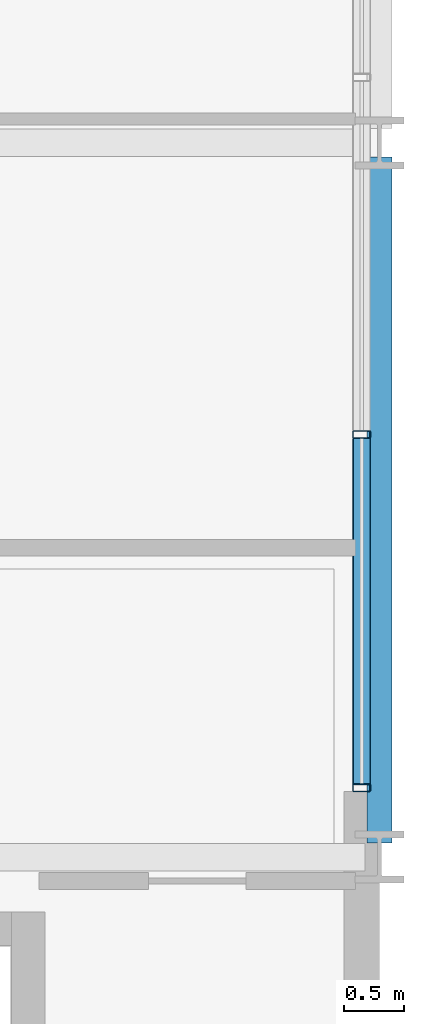
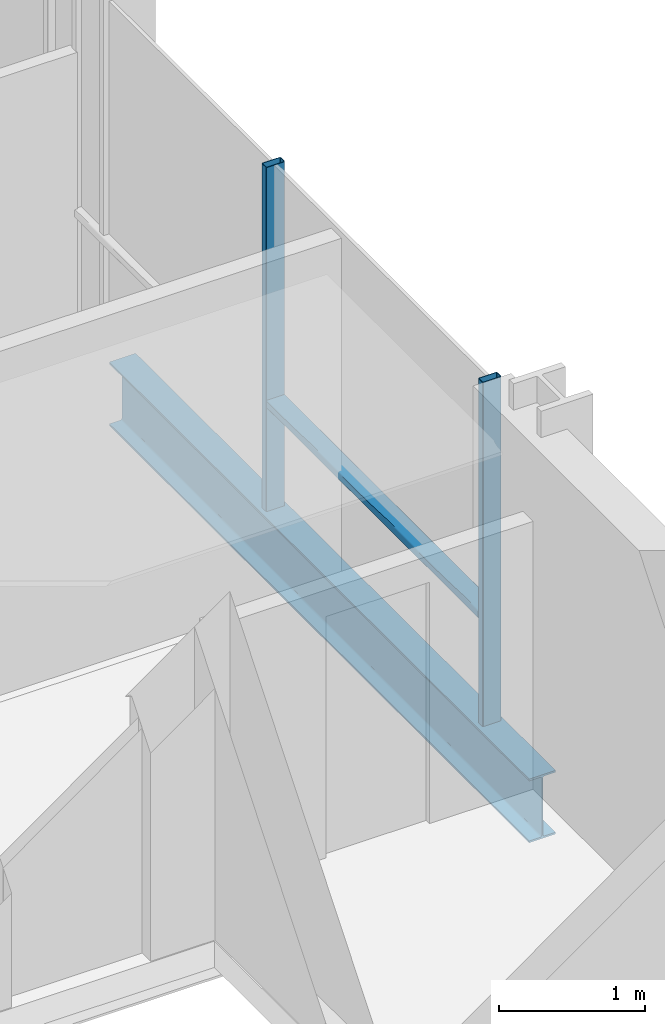
# One storey, part 15 of 41: 3 members, 1 beam, 1 element without a shape of its own.
"""IFC4 building model written with IfcOpenShell, lengths in metres."""

from ifc_helpers import new_model, si_unit, direction, frame, origin, origin_2d, place, context, subcontext, project, spatial, hollow_rectangle, i_section, extrude, material, layer, layer_set, material_profile, profile_set, type_object, element, aggregate, save


model = new_model("IFC4")

# Units and contexts
model_context = context("Model", 3, precision=1e-05, world=origin(), true_north=direction((0.0, 1.0)))
body_context = subcontext(model_context, "Body", "Model", "MODEL_VIEW")
ifc_project = project(units=[si_unit("LENGTHUNIT", "METRE"), si_unit("AREAUNIT", "SQUARE_METRE"), si_unit("VOLUMEUNIT", "CUBIC_METRE"), si_unit("PLANEANGLEUNIT", "RADIAN"), si_unit("MASSUNIT", "GRAM", prefix="KILO")], contexts=[model_context])

# Site, building, storey
site_placement = place(None, origin())
site = spatial("IfcSite", under=ifc_project, at=site_placement, CompositionType="ELEMENT")
building_placement = place(site_placement, origin())
building = spatial("IfcBuilding", under=site, at=building_placement, Name="Brevholm Reach", CompositionType="ELEMENT")
storey_placement = place(building_placement, frame((0.0, 0.0, 100.39990234375)))
storey = spatial("IfcBuildingStorey", under=building, at=storey_placement, Name="L29", CompositionType="ELEMENT", Elevation=100.39990234375)

# Beam
ifc_material_1 = material(Name="Structural Steel S355J2", Category="steel")
ifc_material_profile_1 = material_profile(ifc_material_1, i_section(OverallWidth=0.209228515625, OverallDepth=0.533203125, WebThickness=0.010009765625, FlangeThickness=0.015625, FilletRadius=0.0126953125, at=origin_2d()), Name="UKB 533x210x92")
ifc_profile_set_1 = profile_set([ifc_material_profile_1], Name="Structural Steel S355J2")
beam_type = type_object("IfcBeamType", Name="BM-SP533", PredefinedType="SPANDREL", material=ifc_profile_set_1)
beam_placement = place(storey_placement, frame((60.0, 10.1201171875, -0.486572265625), z_axis=(0.0, 1.0, 0.0), x_axis=(-1.0, 0.0, 0.0)))
element("IfcBeam", 1, at=beam_placement, inside=storey, type_object=beam_type, Name="L29 SP-02 Framing Beam", PredefinedType="SPANDREL", context=body_context, shape_type="SweptSolid", body=[
    extrude(i_section(OverallWidth=0.209228515625, OverallDepth=0.533203125, WebThickness=0.010009765625, FlangeThickness=0.015625, FilletRadius=0.0126953125, at=origin_2d()), origin(), (0.0, 0.0, 1.0), 5.759765625),
])

# Curtain wall, members
ifc_material_2 = material(Name="Dark Anodised Aluminium 6063-T6 and Solar-Control Glass", Category="aluminium")
ifc_layer = layer(ifc_material_2, 0.14990234375)
ifc_layer_set = layer_set([ifc_layer], Name="Dark Anodised Aluminium 6063-T6 and Solar-Control Glass")
curtain_wall_type = type_object("IfcCurtainWallType", Name="CW-01", PredefinedType="NOTDEFINED", material=ifc_layer_set)
curtain_wall_placement = place(storey_placement, origin())
curtain_wall = element("IfcCurtainWall", 2, at=curtain_wall_placement, inside=storey, type_object=curtain_wall_type, Name="L29 Curtain Wall CW-01", PredefinedType="NOTDEFINED")
ifc_material_3 = material(Name="Dark Anodised Aluminium 6063-T6", Category="aluminium")
ifc_material_profile_2 = material_profile(ifc_material_3, hollow_rectangle(XDim=0.06494140625, YDim=0.14990234375, WallThickness=0.0048828125, InnerFilletRadius=0.0048828125, OuterFilletRadius=0.010009765625, at=origin_2d()), Name="RHS 150x65x5")
ifc_profile_set_2 = profile_set([ifc_material_profile_2], Name="Dark Anodised Aluminium 6063-T6")
member_type_1 = type_object("IfcMemberType", Name="CWM-150", PredefinedType="MULLION", material=ifc_profile_set_2)
member_1_placement = place(storey_placement, frame((59.85009765625, 10.58251953125, 0.0), z_axis=(0.0, 0.0, 1.0), x_axis=(0.0, 1.0, 0.0)))
member_1 = element("IfcMember", 3, at=member_1_placement, type_object=member_type_1, Name="CM-150 Mullion 1", PredefinedType="MULLION", context=body_context, shape_type="SweptSolid", body=[
    extrude(hollow_rectangle(XDim=0.06494140625, YDim=0.14990234375, WallThickness=0.0048828125, InnerFilletRadius=0.0048828125, OuterFilletRadius=0.010009765625, at=origin_2d()), origin(), (0.0, 0.0, 1.0), 2.880126953125),
])
member_2_placement = place(storey_placement, frame((59.85009765625, 13.550048828125, 0.0), z_axis=(0.0, 0.0, 1.0), x_axis=(0.0, 1.0, 0.0)))
member_2 = element("IfcMember", 4, at=member_2_placement, type_object=member_type_1, Name="CM-150 Mullion 2", PredefinedType="MULLION", context=body_context, shape_type="SweptSolid", body=[
    extrude(hollow_rectangle(XDim=0.06494140625, YDim=0.14990234375, WallThickness=0.0048828125, InnerFilletRadius=0.0048828125, OuterFilletRadius=0.010009765625, at=origin_2d()), origin(), (0.0, 0.0, 1.0), 2.880126953125),
])
ifc_material_4 = material(Name="Dark Anodised Aluminium 6063-T6", Category="aluminium")
ifc_material_profile_3 = material_profile(ifc_material_4, hollow_rectangle(XDim=0.06494140625, YDim=0.14990234375, WallThickness=0.0048828125, InnerFilletRadius=0.0048828125, OuterFilletRadius=0.010009765625, at=origin_2d()), Name="RHS 150x65x5")
ifc_profile_set_3 = profile_set([ifc_material_profile_3], Name="Dark Anodised Aluminium 6063-T6")
member_type_2 = type_object("IfcMemberType", Name="CWT-150", PredefinedType="NOTDEFINED", material=ifc_profile_set_3)
member_3_placement = place(storey_placement, frame((59.85009765625, 10.614990234375, 0.900146484375), z_axis=(0.0, 1.0, 0.0), x_axis=(0.0, 0.0, 1.0)))
member_3 = element("IfcMember", 5, at=member_3_placement, type_object=member_type_2, Name="CT-150 Transom 1.1", ObjectType="TRANSOM", PredefinedType="USERDEFINED", context=body_context, shape_type="SweptSolid", body=[
    extrude(hollow_rectangle(XDim=0.06494140625, YDim=0.14990234375, WallThickness=0.0048828125, InnerFilletRadius=0.0048828125, OuterFilletRadius=0.010009765625, at=origin_2d()), origin(), (0.0, 0.0, 1.0), 2.902587890625),
])
aggregate(curtain_wall, [member_1, member_2, member_3])

save(model, "model.ifc")
